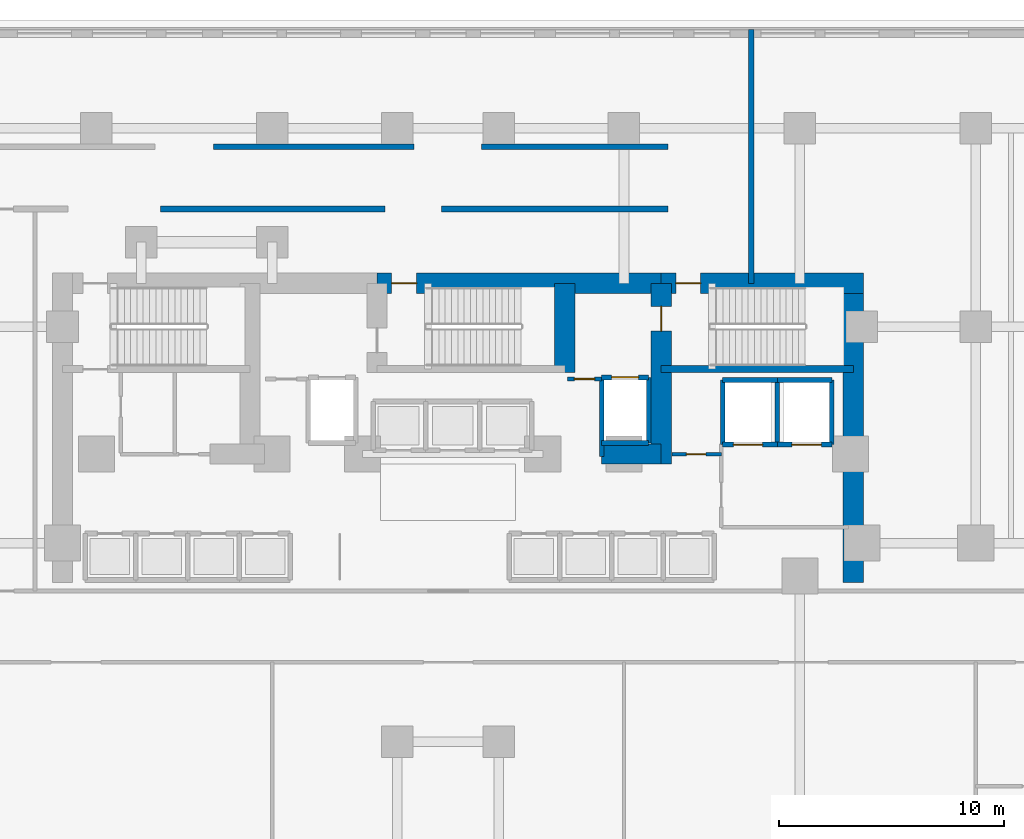
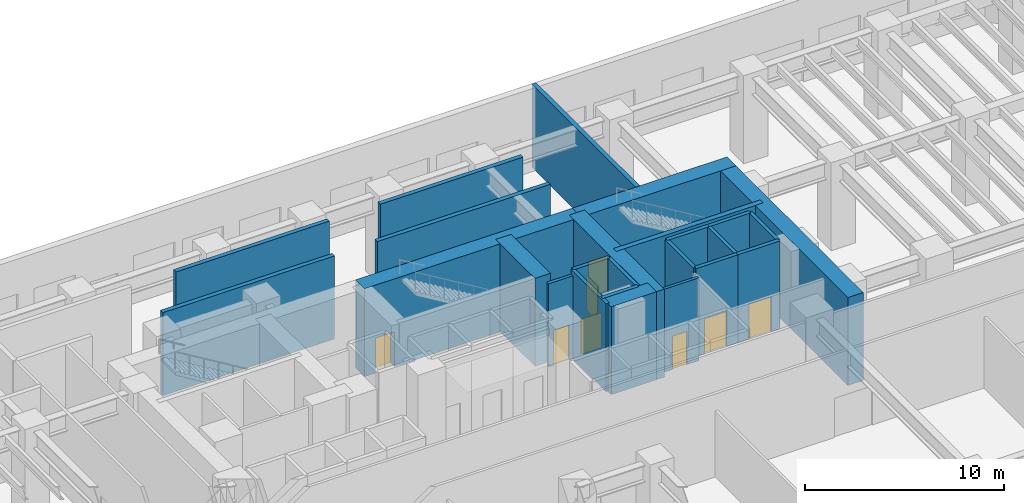
# One storey, part 9 of 17: 25 walls, 8 doors, 8 openings.
"""IFC4 building model written with IfcOpenShell, lengths in metres."""

from ifc_helpers import new_model, si_unit, direction, frame, frame_2d, origin, place, context, subcontext, project, spatial, rectangle, extrude, material, layer, layer_set, type_object, element, fill, save


model = new_model("IFC4")

# Units and contexts
model_context = context("Model", 3, precision=1e-05, world=origin(), true_north=direction((0.0, 1.0)))
body_context = subcontext(model_context, "Body", "Model", "MODEL_VIEW")
ifc_project = project(units=[si_unit("LENGTHUNIT", "METRE"), si_unit("AREAUNIT", "SQUARE_METRE"), si_unit("VOLUMEUNIT", "CUBIC_METRE"), si_unit("PLANEANGLEUNIT", "RADIAN"), si_unit("MASSUNIT", "GRAM", prefix="KILO")], contexts=[model_context])

# Site, building, storey
site_placement = place(None, origin())
site = spatial("IfcSite", under=ifc_project, at=site_placement, CompositionType="ELEMENT")
building_placement = place(site_placement, origin())
building = spatial("IfcBuilding", under=site, at=building_placement, Name="Kestravale Grand Hotel", CompositionType="ELEMENT")
storey_placement = place(building_placement, origin())
storey = spatial("IfcBuildingStorey", under=building, at=storey_placement, Name="L00", CompositionType="ELEMENT", Elevation=0.0)

# Wall, opening, door
ifc_material_1 = material(Name="Concrete f'c 70 MPa", Category="concrete")
ifc_layer_1 = layer(ifc_material_1, 0.89990234375)
ifc_layer_set_1 = layer_set([ifc_layer_1], Name="EW-CORE-900")
wall_type_1 = type_object("IfcWallType", Name="EW-CORE-900", PredefinedType="SHEAR", material=ifc_layer_set_1)
wall_1_placement = place(storey_placement, frame((35.85009765625, 40.320068359375, 0.0), z_axis=(0.0, 0.0, 1.0), x_axis=(1.0, 0.0, 0.0)))
wall_1 = element("IfcWall", 1, at=wall_1_placement, inside=storey, type_object=wall_type_1, Name="L00 core shear wall N2", PredefinedType="SHEAR", context=body_context, shape_type="SweptSolid", body=[
    extrude(rectangle(XDim=12.599853515625, YDim=0.89990234375, at=frame_2d((6.2998046875, 0.0))), origin(), (0.0, 0.0, 1.0), 5.39990234375),
])
opening_1_placement = place(wall_1_placement, frame((0.64990234375, 0.0, 0.0)))
opening_1 = element("IfcOpeningElement", 2, at=opening_1_placement, cuts=wall_1, Name="Opening D-ST-1100", PredefinedType="OPENING", context=body_context, shape_type="SweptSolid", body=[
    extrude(rectangle(XDim=1.10009765625, YDim=2.14990234375, at=frame_2d((0.550048828125, 1.074951171875))), frame((0.0, 0.4599609375, 0.0), z_axis=(0.0, -1.0, 0.0), x_axis=(1.0, 0.0, 0.0)), (0.0, 0.0, 1.0), 0.919921875),
])
ifc_material_2 = material(Name="Galvanised 90-minute fire-rated steel stair door", Category="steel")
door_type_1 = type_object("IfcDoorType", Name="D-ST-1100", OperationType="NOTDEFINED", PredefinedType="DOOR", material=ifc_material_2)
door_1_placement = place(opening_1_placement, origin())
door_1 = element("IfcDoor", 3, at=door_1_placement, inside=storey, type_object=door_type_1, Name="L00 Stair ST2 exit passageway discharge door", OperationType="SINGLE_SWING_RIGHT", OverallHeight=2.14990234375, OverallWidth=1.10009765625, PredefinedType="DOOR", context=body_context, shape_type="SweptSolid", body=[
    extrude(rectangle(XDim=1.10009765625, YDim=2.14990234375, at=frame_2d((0.550048828125, 1.074951171875))), frame((0.0, 0.02490234375, 0.0), z_axis=(0.0, -1.0, 0.0), x_axis=(1.0, 0.0, 0.0)), (0.0, 0.0, 1.0), 0.050048828125),
])
fill(opening_1, door_1)

wall_2_placement = place(storey_placement, frame((48.449951171875, 40.320068359375, 0.0), z_axis=(0.0, 0.0, 1.0), x_axis=(1.0, 0.0, 0.0)))
wall_2 = element("IfcWall", 4, at=wall_2_placement, inside=storey, type_object=wall_type_1, Name="L00 core shear wall N3", PredefinedType="SHEAR", context=body_context, shape_type="SweptSolid", body=[
    extrude(rectangle(XDim=8.969970703125, YDim=0.89990234375, at=frame_2d((4.48486328125, 0.0))), origin(), (0.0, 0.0, 1.0), 5.39990234375),
])
opening_2_placement = place(wall_2_placement, frame((0.64990234375, 0.0, 0.0)))
opening_2 = element("IfcOpeningElement", 5, at=opening_2_placement, cuts=wall_2, Name="Opening D-ST-1100", PredefinedType="OPENING", context=body_context, shape_type="SweptSolid", body=[
    extrude(rectangle(XDim=1.10009765625, YDim=2.14990234375, at=frame_2d((0.550048828125, 1.074951171875))), frame((0.0, 0.4599609375, 0.0), z_axis=(0.0, -1.0, 0.0), x_axis=(1.0, 0.0, 0.0)), (0.0, 0.0, 1.0), 0.919921875),
])
door_2_placement = place(opening_2_placement, origin())
door_2 = element("IfcDoor", 6, at=door_2_placement, inside=storey, type_object=door_type_1, Name="L00 Stair ST3 exit passageway discharge door", OperationType="SINGLE_SWING_RIGHT", OverallHeight=2.14990234375, OverallWidth=1.10009765625, PredefinedType="DOOR", context=body_context, shape_type="SweptSolid", body=[
    extrude(rectangle(XDim=1.10009765625, YDim=2.14990234375, at=frame_2d((0.550048828125, 1.074951171875))), frame((0.0, 0.02490234375, 0.0), z_axis=(0.0, -1.0, 0.0), x_axis=(1.0, 0.0, 0.0)), (0.0, 0.0, 1.0), 0.050048828125),
])
fill(opening_2, door_2)

# Walls
wall_3_placement = place(storey_placement, frame((56.969970703125, 27.050048828125, 0.0), z_axis=(0.0, 0.0, 1.0), x_axis=(0.0, 1.0, 0.0)))
element("IfcWall", 7, at=wall_3_placement, inside=storey, type_object=wall_type_1, Name="L00 core shear wall E1", PredefinedType="SHEAR", context=body_context, shape_type="SweptSolid", body=[
    extrude(rectangle(XDim=13.719970703125, YDim=0.89990234375, at=frame_2d((6.85986328125, 0.0))), origin(), (0.0, 0.0, 1.0), 5.39990234375),
])
wall_4_placement = place(storey_placement, frame((45.81005859375, 32.75, 0.0), z_axis=(0.0, 0.0, 1.0), x_axis=(1.0, 0.0, 0.0)))
element("IfcWall", 8, at=wall_4_placement, inside=storey, type_object=wall_type_1, Name="L00 core shear wall S2", PredefinedType="SHEAR", context=body_context, shape_type="SweptSolid", body=[
    extrude(rectangle(XDim=2.639892578125, YDim=0.89990234375, at=frame_2d((1.31982421875, 0.0))), origin(), (0.0, 0.0, 1.0), 5.39990234375),
])
wall_5_placement = place(storey_placement, frame((44.179931640625, 36.3701171875, 0.0), z_axis=(0.0, 0.0, 1.0), x_axis=(0.0, 1.0, 0.0)))
element("IfcWall", 9, at=wall_5_placement, inside=storey, type_object=wall_type_1, Name="L00 core shear wall X3", PredefinedType="SHEAR", context=body_context, shape_type="SweptSolid", body=[
    extrude(rectangle(XDim=3.949951171875, YDim=0.89990234375, at=frame_2d((1.97509765625, 0.0))), origin(), (0.0, 0.0, 1.0), 5.39990234375),
])

# Wall, opening, door
wall_6_placement = place(storey_placement, frame((48.449951171875, 32.300048828125, 0.0), z_axis=(0.0, 0.0, 1.0), x_axis=(0.0, 1.0, 0.0)))
wall_6 = element("IfcWall", 10, at=wall_6_placement, inside=storey, type_object=wall_type_1, Name="L00 core shear wall X4", PredefinedType="SHEAR", context=body_context, shape_type="SweptSolid", body=[
    extrude(rectangle(XDim=8.02001953125, YDim=0.89990234375, at=frame_2d((4.010009765625, 0.0))), origin(), (0.0, 0.0, 1.0), 5.39990234375),
])
opening_3_placement = place(wall_6_placement, frame((5.89990234375, 0.0, 0.0)))
opening_3 = element("IfcOpeningElement", 11, at=opening_3_placement, cuts=wall_6, Name="Opening D-ST-1100", PredefinedType="OPENING", context=body_context, shape_type="SweptSolid", body=[
    extrude(rectangle(XDim=1.10009765625, YDim=2.14990234375, at=frame_2d((0.550048828125, 1.074951171875))), frame((0.0, 0.4599609375, 0.0), z_axis=(0.0, -1.0, 0.0), x_axis=(1.0, 0.0, 0.0)), (0.0, 0.0, 1.0), 0.919921875),
])
door_3_placement = place(opening_3_placement, origin())
door_3 = element("IfcDoor", 12, at=door_3_placement, inside=storey, type_object=door_type_1, Name="L00 Stair ST-3 FSAE fire door", OperationType="SINGLE_SWING_RIGHT", OverallHeight=2.14990234375, OverallWidth=1.10009765625, PredefinedType="DOOR", context=body_context, shape_type="SweptSolid", body=[
    extrude(rectangle(XDim=1.10009765625, YDim=2.14990234375, at=frame_2d((0.550048828125, 1.074951171875))), frame((0.0, 0.02490234375, 0.0), z_axis=(0.0, -1.0, 0.0), x_axis=(1.0, 0.0, 0.0)), (0.0, 0.0, 1.0), 0.050048828125),
])
fill(opening_3, door_3)

# Wall
ifc_material_3 = material(Name="Concrete f'c 45 MPa", Category="concrete")
ifc_layer_2 = layer(ifc_material_3, 0.300048828125)
ifc_layer_set_2 = layer_set([ifc_layer_2], Name="EW-STAIR-300")
wall_type_2 = type_object("IfcWallType", Name="EW-STAIR-300", PredefinedType="SHEAR", material=ifc_layer_set_2)
wall_7_placement = place(storey_placement, frame((48.449951171875, 36.52001953125, 0.0), z_axis=(0.0, 0.0, 1.0), x_axis=(1.0, 0.0, 0.0)))
element("IfcWall", 13, at=wall_7_placement, inside=storey, type_object=wall_type_2, Name="L00 stair enclosure shear wall SST3", PredefinedType="SHEAR", context=body_context, shape_type="SweptSolid", body=[
    extrude(rectangle(XDim=8.52001953125, YDim=0.300048828125, at=frame_2d((4.260009765625, 0.0))), origin(), (0.0, 0.0, 1.0), 5.39990234375),
])

# Wall, opening, door
ifc_material_4 = material(Name="Acoustic fire-rated gypsum board partition", Category="other")
ifc_layer_3 = layer(ifc_material_4, 0.159912109375)
ifc_layer_set_3 = layer_set([ifc_layer_3], Name="IW-CORR-160")
wall_type_3 = type_object("IfcWallType", Name="IW-CORR-160", PredefinedType="PARTITIONING", material=ifc_layer_set_3)
wall_8_placement = place(storey_placement, frame((48.919921875, 32.75, 0.0), z_axis=(0.0, 0.0, 1.0), x_axis=(1.0, 0.0, 0.0)))
wall_8 = element("IfcWall", 14, at=wall_8_placement, inside=storey, type_object=wall_type_3, Name="W-L00-CES", PredefinedType="PARTITIONING", context=body_context, shape_type="SweptSolid", body=[
    extrude(rectangle(XDim=2.2001953125, YDim=0.159912109375, at=frame_2d((1.10009765625, 0.0))), origin(), (0.0, 0.0, 1.0), 5.10009765625),
])
opening_4_placement = place(wall_8_placement, frame((0.64990234375, 0.0, 0.0)))
opening_4 = element("IfcOpeningElement", 15, at=opening_4_placement, cuts=wall_8, Name="Opening D-SH-860", PredefinedType="OPENING", context=body_context, shape_type="SweptSolid", body=[
    extrude(rectangle(XDim=0.860107421875, YDim=2.050048828125, at=frame_2d((0.43017578125, 1.02490234375))), frame((0.0, 0.08984375, 0.0), z_axis=(0.0, -1.0, 0.0), x_axis=(1.0, 0.0, 0.0)), (0.0, 0.0, 1.0), 0.179931640625),
])
ifc_material_5 = material(Name="Galvanised 90-minute riser fire door", Category="steel")
door_type_2 = type_object("IfcDoorType", Name="D-SH-860", OperationType="NOTDEFINED", PredefinedType="DOOR", material=ifc_material_5)
door_4_placement = place(opening_4_placement, origin())
door_4 = element("IfcDoor", 16, at=door_4_placement, inside=storey, type_object=door_type_2, Name="L00 CSTO1 door", OperationType="SINGLE_SWING_RIGHT", OverallHeight=2.050048828125, OverallWidth=0.860107421875, PredefinedType="DOOR", context=body_context, shape_type="SweptSolid", body=[
    extrude(rectangle(XDim=0.860107421875, YDim=2.050048828125, at=frame_2d((0.43017578125, 1.02490234375))), frame((0.0, 0.02490234375, 0.0), z_axis=(0.0, -1.0, 0.0), x_axis=(1.0, 0.0, 0.0)), (0.0, 0.0, 1.0), 0.050048828125),
])
fill(opening_4, door_4)

ifc_material_6 = material(Name="Fire-rated gypsum board on steel studs with mineral wool", Category="steel")
ifc_layer_4 = layer(ifc_material_6, 0.179931640625)
ifc_layer_set_4 = layer_set([ifc_layer_4], Name="IW-FSAE-180")
wall_type_4 = type_object("IfcWallType", Name="IW-FSAE-180", PredefinedType="PARTITIONING", material=ifc_layer_set_4)
wall_9_placement = place(storey_placement, frame((44.300048828125, 36.080078125, 0.0), z_axis=(0.0, 0.0, 1.0), x_axis=(1.0, 0.0, 0.0)))
wall_9 = element("IfcWall", 17, at=wall_9_placement, inside=storey, type_object=wall_type_4, Name="L00 FSAE Lobby 2 smoke barrier", PredefinedType="PARTITIONING", context=body_context, shape_type="SweptSolid", body=[
    extrude(rectangle(XDim=1.5, YDim=0.179931640625, at=frame_2d((0.75, 0.0))), origin(), (0.0, 0.0, 1.0), 5.10009765625),
])
opening_5_placement = place(wall_9_placement, frame((0.300048828125, 0.0, 0.0)))
opening_5 = element("IfcOpeningElement", 18, at=opening_5_placement, cuts=wall_9, Name="Opening D-FSAE-1000", PredefinedType="OPENING", context=body_context, shape_type="SweptSolid", body=[
    extrude(rectangle(XDim=0.89990234375, YDim=2.14990234375, at=frame_2d((0.449951171875, 1.074951171875))), frame((0.0, 0.099853515625, 0.0), z_axis=(0.0, -1.0, 0.0), x_axis=(1.0, 0.0, 0.0)), (0.0, 0.0, 1.0), 0.199951171875),
])
ifc_material_7 = material(Name="Smoke-gasketed FSAE lobby fire door", Category="steel")
door_type_3 = type_object("IfcDoorType", Name="D-FSAE-1000", OperationType="NOTDEFINED", PredefinedType="DOOR", material=ifc_material_7)
door_5_placement = place(opening_5_placement, origin())
door_5 = element("IfcDoor", 19, at=door_5_placement, inside=storey, type_object=door_type_3, Name="L00 FSAE Lobby 2 fire door", OperationType="SINGLE_SWING_LEFT", OverallHeight=2.14990234375, OverallWidth=0.89990234375, PredefinedType="DOOR", context=body_context, shape_type="SweptSolid", body=[
    extrude(rectangle(XDim=0.89990234375, YDim=2.14990234375, at=frame_2d((0.449951171875, 1.074951171875))), frame((0.0, 0.02490234375, 0.0), z_axis=(0.0, -1.0, 0.0), x_axis=(1.0, 0.0, 0.0)), (0.0, 0.0, 1.0), 0.050048828125),
])
fill(opening_5, door_5)

# Walls
ifc_material_8 = material(Name="Concrete f'c 45 MPa", Category="concrete")
ifc_layer_5 = layer(ifc_material_8, 0.199951171875)
ifc_layer_set_5 = layer_set([ifc_layer_5], Name="IW-SHAFT-200")
wall_type_5 = type_object("IfcWallType", Name="IW-SHAFT-200", PredefinedType="SHEAR", material=ifc_layer_set_5)
for number, where, z_axis, x_axis, name in (
    (20, (51.179931640625, 33.169921875, 0.0), (0.0, 0.0, 1.0), (0.0, 1.0, 0.0), "L00 SL-1 west shaft wall"),
    (21, (53.60009765625, 33.169921875, 0.0), (0.0, 0.0, 1.0), (0.0, 1.0, 0.0), "L00 SL-2 west shaft wall"),
    (22, (56.02001953125, 33.169921875, 0.0), (0.0, 0.0, 1.0), (0.0, 1.0, 0.0), "L00 SL-2 east shaft wall"),
):
    element("IfcWall", number, at=place(storey_placement, frame(where, z_axis=z_axis, x_axis=x_axis)), inside=storey, type_object=wall_type_5, Name=name, PredefinedType="SHEAR", context=body_context, shape_type="SweptSolid", body=[
        extrude(rectangle(XDim=2.860107421875, YDim=0.199951171875, at=frame_2d((1.43017578125, 0.0))), origin(), (0.0, 0.0, 1.0), 5.39990234375),
    ])
wall_10_placement = place(storey_placement, frame((45.804931640625, 32.64990234375, 0.0), z_axis=(0.0, 0.0, 1.0), x_axis=(0.0, 1.0, 0.0)))
element("IfcWall", 23, at=wall_10_placement, inside=storey, type_object=wall_type_5, Name="L00 FL-2 west shaft wall", PredefinedType="SHEAR", context=body_context, shape_type="SweptSolid", body=[
    extrude(rectangle(XDim=3.505126953125, YDim=0.199951171875, at=frame_2d((1.75244140625, 0.0))), origin(), (0.0, 0.0, 1.0), 5.39990234375),
])
wall_11_placement = place(storey_placement, frame((47.89501953125, 33.2451171875, 0.0), z_axis=(0.0, 0.0, 1.0), x_axis=(0.0, 1.0, 0.0)))
element("IfcWall", 24, at=wall_11_placement, inside=storey, type_object=wall_type_5, Name="L00 FL-2 east shaft wall", PredefinedType="SHEAR", context=body_context, shape_type="SweptSolid", body=[
    extrude(rectangle(XDim=2.909912109375, YDim=0.199951171875, at=frame_2d((1.455078125, 0.0))), origin(), (0.0, 0.0, 1.0), 5.39990234375),
])
ifc_material_9 = material(Name="Concrete f'c 45 MPa", Category="concrete")
ifc_layer_6 = layer(ifc_material_9, 0.219970703125)
ifc_layer_set_6 = layer_set([ifc_layer_6], Name="IW-SHAFT-220")
wall_type_6 = type_object("IfcWallType", Name="IW-SHAFT-220", PredefinedType="SHEAR", material=ifc_layer_set_6)
wall_12_placement = place(storey_placement, frame((51.179931640625, 36.030029296875, 0.0), z_axis=(0.0, 0.0, 1.0), x_axis=(1.0, 0.0, 0.0)))
element("IfcWall", 25, at=wall_12_placement, inside=storey, type_object=wall_type_6, Name="L00 SL-1 north shaft wall", PredefinedType="SHEAR", context=body_context, shape_type="SweptSolid", body=[
    extrude(rectangle(XDim=2.420166015625, YDim=0.219970703125, at=frame_2d((1.2099609375, 0.0))), origin(), (0.0, 0.0, 1.0), 5.39990234375),
])

# Wall, opening, door
wall_13_placement = place(storey_placement, frame((51.179931640625, 33.169921875, 0.0), z_axis=(0.0, 0.0, 1.0), x_axis=(1.0, 0.0, 0.0)))
wall_13 = element("IfcWall", 26, at=wall_13_placement, inside=storey, type_object=wall_type_6, Name="L00 SL-1 south shaft wall", PredefinedType="SHEAR", context=body_context, shape_type="SweptSolid", body=[
    extrude(rectangle(XDim=2.420166015625, YDim=0.219970703125, at=frame_2d((1.2099609375, 0.0))), origin(), (0.0, 0.0, 1.0), 5.39990234375),
])
opening_6_placement = place(wall_13_placement, frame((0.469970703125, 0.0, 0.0)))
opening_6 = element("IfcOpeningElement", 27, at=opening_6_placement, cuts=wall_13, Name="Opening LD-SVC-1300", PredefinedType="OPENING", context=body_context, shape_type="SweptSolid", body=[
    extrude(rectangle(XDim=1.300048828125, YDim=2.14990234375, at=frame_2d((0.64990234375, 1.074951171875))), frame((0.0, 0.119873046875, 0.0), z_axis=(0.0, -1.0, 0.0), x_axis=(1.0, 0.0, 0.0)), (0.0, 0.0, 1.0), 0.239990234375),
])
ifc_material_10 = material(Name="Heavy-duty service sliding elevator landing door", Category="steel")
door_type_4 = type_object("IfcDoorType", Name="LD-SVC-1300", OperationType="NOTDEFINED", PredefinedType="DOOR", material=ifc_material_10)
door_6_placement = place(opening_6_placement, origin())
door_6 = element("IfcDoor", 28, at=door_6_placement, inside=storey, type_object=door_type_4, Name="L00 SL-1 elevator landing sliding door", OperationType="DOUBLE_DOOR_SLIDING", OverallHeight=2.14990234375, OverallWidth=1.300048828125, PredefinedType="DOOR", context=body_context, shape_type="SweptSolid", body=[
    extrude(rectangle(XDim=1.300048828125, YDim=2.14990234375, at=frame_2d((0.64990234375, 1.074951171875))), frame((0.0, 0.02490234375, 0.0), z_axis=(0.0, -1.0, 0.0), x_axis=(1.0, 0.0, 0.0)), (0.0, 0.0, 1.0), 0.050048828125),
])
fill(opening_6, door_6)

# Wall
wall_14_placement = place(storey_placement, frame((53.60009765625, 36.030029296875, 0.0), z_axis=(0.0, 0.0, 1.0), x_axis=(1.0, 0.0, 0.0)))
element("IfcWall", 29, at=wall_14_placement, inside=storey, type_object=wall_type_6, Name="L00 SL-2 north shaft wall", PredefinedType="SHEAR", context=body_context, shape_type="SweptSolid", body=[
    extrude(rectangle(XDim=2.419921875, YDim=0.219970703125, at=frame_2d((1.2099609375, 0.0))), origin(), (0.0, 0.0, 1.0), 5.39990234375),
])

# Wall, opening, door
wall_15_placement = place(storey_placement, frame((53.60009765625, 33.169921875, 0.0), z_axis=(0.0, 0.0, 1.0), x_axis=(1.0, 0.0, 0.0)))
wall_15 = element("IfcWall", 30, at=wall_15_placement, inside=storey, type_object=wall_type_6, Name="L00 SL-2 south shaft wall", PredefinedType="SHEAR", context=body_context, shape_type="SweptSolid", body=[
    extrude(rectangle(XDim=2.419921875, YDim=0.219970703125, at=frame_2d((1.2099609375, 0.0))), origin(), (0.0, 0.0, 1.0), 5.39990234375),
])
opening_7_placement = place(wall_15_placement, frame((0.64990234375, 0.0, 0.0)))
opening_7 = element("IfcOpeningElement", 31, at=opening_7_placement, cuts=wall_15, Name="Opening LD-SVC-1300", PredefinedType="OPENING", context=body_context, shape_type="SweptSolid", body=[
    extrude(rectangle(XDim=1.300048828125, YDim=2.14990234375, at=frame_2d((0.64990234375, 1.074951171875))), frame((0.0, 0.119873046875, 0.0), z_axis=(0.0, -1.0, 0.0), x_axis=(1.0, 0.0, 0.0)), (0.0, 0.0, 1.0), 0.239990234375),
])
door_7_placement = place(opening_7_placement, origin())
door_7 = element("IfcDoor", 32, at=door_7_placement, inside=storey, type_object=door_type_4, Name="L00 SL-2 elevator landing sliding door", OperationType="DOUBLE_DOOR_SLIDING", OverallHeight=2.14990234375, OverallWidth=1.300048828125, PredefinedType="DOOR", context=body_context, shape_type="SweptSolid", body=[
    extrude(rectangle(XDim=1.300048828125, YDim=2.14990234375, at=frame_2d((0.64990234375, 1.074951171875))), frame((0.0, 0.02490234375, 0.0), z_axis=(0.0, -1.0, 0.0), x_axis=(1.0, 0.0, 0.0)), (0.0, 0.0, 1.0), 0.050048828125),
])
fill(opening_7, door_7)

wall_16_placement = place(storey_placement, frame((45.804931640625, 36.155029296875, 0.0), z_axis=(0.0, 0.0, 1.0), x_axis=(1.0, 0.0, 0.0)))
wall_16 = element("IfcWall", 33, at=wall_16_placement, inside=storey, type_object=wall_type_6, Name="L00 FL-2 north shaft wall", PredefinedType="SHEAR", context=body_context, shape_type="SweptSolid", body=[
    extrude(rectangle(XDim=2.090087890625, YDim=0.219970703125, at=frame_2d((1.044921875, 0.0))), origin(), (0.0, 0.0, 1.0), 5.39990234375),
])
opening_8_placement = place(wall_16_placement, frame((0.445068359375, 0.0, 0.0)))
opening_8 = element("IfcOpeningElement", 34, at=opening_8_placement, cuts=wall_16, Name="Opening LD-FSAE-1200", PredefinedType="OPENING", context=body_context, shape_type="SweptSolid", body=[
    extrude(rectangle(XDim=1.199951171875, YDim=2.14990234375, at=frame_2d((0.60009765625, 1.074951171875))), frame((0.0, 0.119873046875, 0.0), z_axis=(0.0, -1.0, 0.0), x_axis=(1.0, 0.0, 0.0)), (0.0, 0.0, 1.0), 0.239990234375),
])
ifc_material_11 = material(Name="Stainless fire-service sliding elevator landing door", Category="steel")
door_type_5 = type_object("IfcDoorType", Name="LD-FSAE-1200", OperationType="NOTDEFINED", PredefinedType="DOOR", material=ifc_material_11)
door_8_placement = place(opening_8_placement, origin())
door_8 = element("IfcDoor", 35, at=door_8_placement, inside=storey, type_object=door_type_5, Name="L00 FL-2 elevator landing sliding door", OperationType="DOUBLE_DOOR_SLIDING", OverallHeight=2.14990234375, OverallWidth=1.199951171875, PredefinedType="DOOR", context=body_context, shape_type="SweptSolid", body=[
    extrude(rectangle(XDim=1.199951171875, YDim=2.14990234375, at=frame_2d((0.60009765625, 1.074951171875))), frame((0.0, 0.02490234375, 0.0), z_axis=(0.0, -1.0, 0.0), x_axis=(1.0, 0.0, 0.0)), (0.0, 0.0, 1.0), 0.050048828125),
])
fill(opening_8, door_8)

# Walls
wall_17_placement = place(storey_placement, frame((45.804931640625, 33.2451171875, 0.0), z_axis=(0.0, 0.0, 1.0), x_axis=(1.0, 0.0, 0.0)))
element("IfcWall", 36, at=wall_17_placement, inside=storey, type_object=wall_type_6, Name="L00 FL-2 south shaft wall", PredefinedType="SHEAR", context=body_context, shape_type="SweptSolid", body=[
    extrude(rectangle(XDim=2.090087890625, YDim=0.219970703125, at=frame_2d((1.044921875, 0.0))), origin(), (0.0, 0.0, 1.0), 5.39990234375),
])
ifc_material_12 = material(Name="Concrete f'c 45 MPa", Category="concrete")
ifc_layer_7 = layer(ifc_material_12, 0.25)
ifc_layer_set_7 = layer_set([ifc_layer_7], Name="IW-STAIR-250")
wall_type_7 = type_object("IfcWallType", Name="IW-STAIR-250", PredefinedType="SOLIDWALL", material=ifc_layer_set_7)
wall_18_placement = place(storey_placement, frame((52.449951171875, 40.320068359375, 0.0), z_axis=(0.0, 0.0, 1.0), x_axis=(0.0, 1.0, 0.0)))
element("IfcWall", 37, at=wall_18_placement, inside=storey, type_object=wall_type_7, Name="W-L00-EPN-E", PredefinedType="SOLIDWALL", context=body_context, shape_type="SweptSolid", body=[
    extrude(rectangle(XDim=11.260009765625, YDim=0.25, at=frame_2d((5.6298828125, 0.0))), origin(), (0.0, 0.0, 1.0), 5.10009765625),
])
wall_19_placement = place(storey_placement, frame((28.60009765625, 46.3798828125, 0.0), z_axis=(0.0, 0.0, 1.0), x_axis=(1.0, 0.0, 0.0)))
element("IfcWall", 38, at=wall_19_placement, inside=storey, type_object=wall_type_7, Name="W-L00-EPN-N1", PredefinedType="SOLIDWALL", context=body_context, shape_type="SweptSolid", body=[
    extrude(rectangle(XDim=8.89990234375, YDim=0.25, at=frame_2d((4.449951171875, 0.0))), origin(), (0.0, 0.0, 1.0), 5.10009765625),
])
wall_20_placement = place(storey_placement, frame((40.47998046875, 46.3798828125, 0.0), z_axis=(0.0, 0.0, 1.0), x_axis=(1.0, 0.0, 0.0)))
element("IfcWall", 39, at=wall_20_placement, inside=storey, type_object=wall_type_7, Name="W-L00-EPN-N2", PredefinedType="SOLIDWALL", context=body_context, shape_type="SweptSolid", body=[
    extrude(rectangle(XDim=8.27001953125, YDim=0.25, at=frame_2d((4.135009765625, 0.0))), origin(), (0.0, 0.0, 1.0), 5.10009765625),
])
wall_21_placement = place(storey_placement, frame((26.25, 43.6201171875, 0.0), z_axis=(0.0, 0.0, 1.0), x_axis=(1.0, 0.0, 0.0)))
element("IfcWall", 40, at=wall_21_placement, inside=storey, type_object=wall_type_7, Name="W-L00-EPN-S1", PredefinedType="SOLIDWALL", context=body_context, shape_type="SweptSolid", body=[
    extrude(rectangle(XDim=9.949951171875, YDim=0.25, at=frame_2d((4.97509765625, 0.0))), origin(), (0.0, 0.0, 1.0), 5.10009765625),
])
wall_22_placement = place(storey_placement, frame((38.699951171875, 43.6201171875, 0.0), z_axis=(0.0, 0.0, 1.0), x_axis=(1.0, 0.0, 0.0)))
element("IfcWall", 41, at=wall_22_placement, inside=storey, type_object=wall_type_7, Name="W-L00-EPN-S2", PredefinedType="SOLIDWALL", context=body_context, shape_type="SweptSolid", body=[
    extrude(rectangle(XDim=10.050048828125, YDim=0.25, at=frame_2d((5.02490234375, 0.0))), origin(), (0.0, 0.0, 1.0), 5.10009765625),
])

save(model, "model.ifc")
